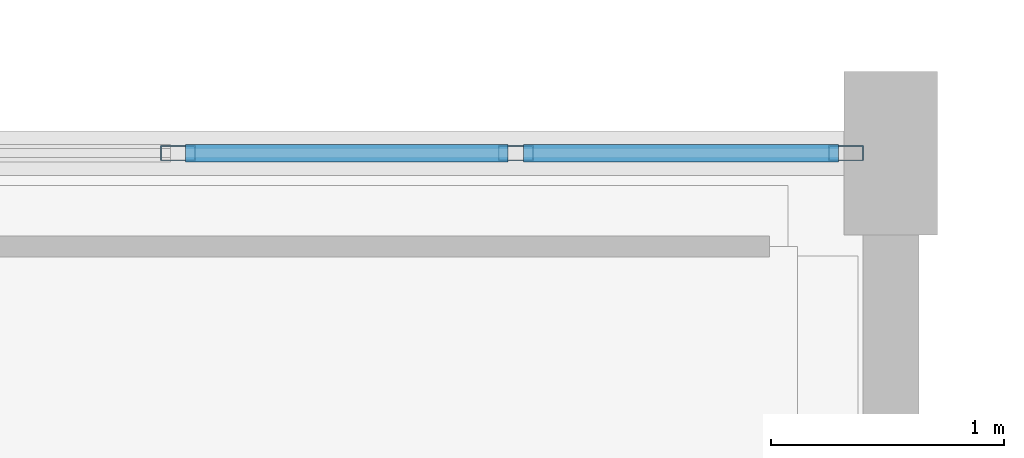
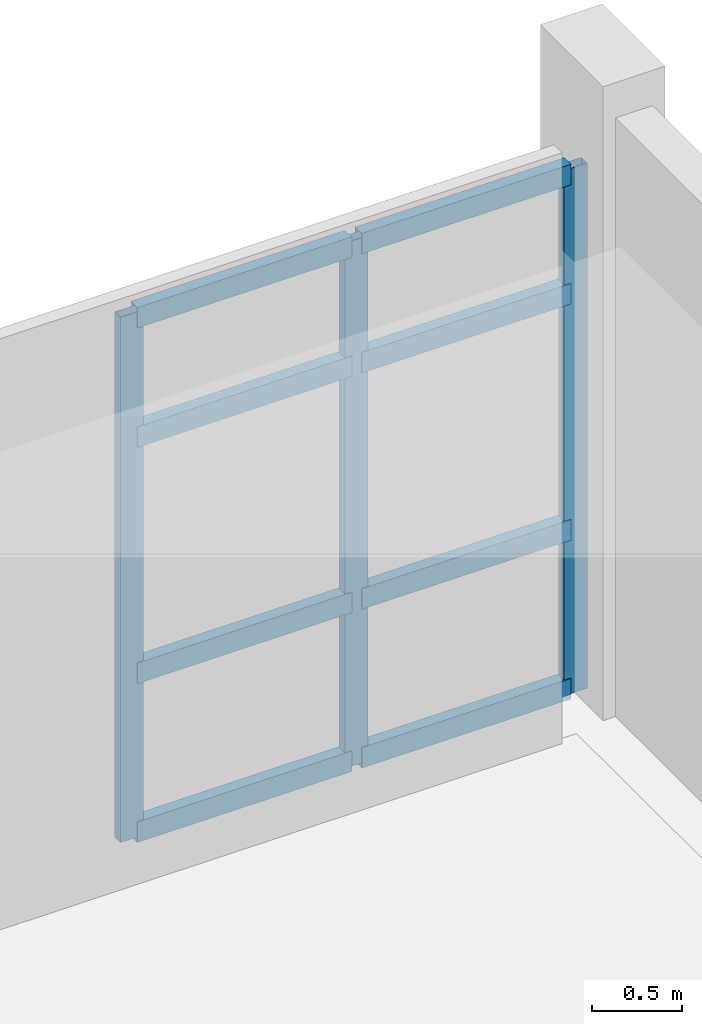
# One storey, part 109 of 174: 11 members, 1 element without a shape of its own.
"""IFC4 building model written with IfcOpenShell, lengths in metres."""

from ifc_helpers import new_model, si_unit, direction, frame, origin, origin_2d, place, context, subcontext, project, spatial, hollow_rectangle, extrude, material, material_profile, profile_set, type_object, element, aggregate, save


model = new_model("IFC4")

# Units and contexts
model_context = context("Model", 3, precision=1e-05, world=origin(), true_north=direction((0.0, 1.0)))
body_context = subcontext(model_context, "Body", "Model", "MODEL_VIEW")
ifc_project = project(units=[si_unit("LENGTHUNIT", "METRE"), si_unit("AREAUNIT", "SQUARE_METRE"), si_unit("VOLUMEUNIT", "CUBIC_METRE"), si_unit("PLANEANGLEUNIT", "RADIAN"), si_unit("MASSUNIT", "GRAM", prefix="KILO")], contexts=[model_context])

# Site, building, storey
site_placement = place(None, origin())
site = spatial("IfcSite", under=ifc_project, at=site_placement, CompositionType="ELEMENT")
building_placement = place(site_placement, origin())
building = spatial("IfcBuilding", under=site, at=building_placement, Name="Caisbarro Railhouse Central Library", CompositionType="ELEMENT")
storey_placement = place(building_placement, frame((0.0, 0.0, 5.0400390625)))
storey = spatial("IfcBuildingStorey", under=building, at=storey_placement, Name="L01", CompositionType="ELEMENT", Elevation=5.0400390625)

# Curtain wall, members
ifc_material = material(Name="Anodised architectural aluminium", Category="aluminium")
curtain_wall_type = type_object("IfcCurtainWallType", Name="CW-CW03", PredefinedType="NOTDEFINED", material=ifc_material)
curtain_wall_placement = place(storey_placement, origin())
curtain_wall = element("IfcCurtainWall", 1, at=curtain_wall_placement, inside=storey, type_object=curtain_wall_type, Name="CW03 curtain wall L01 #179", PredefinedType="NOTDEFINED")
ifc_material_profile_1 = material_profile(ifc_material, hollow_rectangle(XDim=0.06494140625, YDim=0.14990234375, WallThickness=0.00390625, at=origin_2d()), Name="ALU-MUL-65X150")
ifc_profile_set_1 = profile_set([ifc_material_profile_1], Name="Anodised architectural aluminium")
member_type_1 = type_object("IfcMemberType", Name="CWM-M02", PredefinedType="MULLION", material=ifc_profile_set_1)
member_1_placement = place(storey_placement, frame((95.94677734375, 114.0, 0.0), z_axis=(0.0, 0.0, 1.0), x_axis=(0.0, 1.0, 0.0)))
member_1 = element("IfcMember", 2, at=member_1_placement, type_object=member_type_1, Name="CW03 mullion 5", PredefinedType="MULLION", context=body_context, shape_type="SweptSolid", body=[
    extrude(hollow_rectangle(XDim=0.06494140625, YDim=0.14990234375, WallThickness=0.00390625, at=origin_2d()), origin(), (0.0, 0.0, 1.0), 3.580078125),
])
member_2_placement = place(storey_placement, frame((97.393310546875, 114.0, 0.0), z_axis=(0.0, 0.0, 1.0), x_axis=(0.0, 1.0, 0.0)))
member_2 = element("IfcMember", 3, at=member_2_placement, type_object=member_type_1, Name="CW03 mullion 6", PredefinedType="MULLION", context=body_context, shape_type="SweptSolid", body=[
    extrude(hollow_rectangle(XDim=0.06494140625, YDim=0.14990234375, WallThickness=0.00390625, at=origin_2d()), origin(), (0.0, 0.0, 1.0), 3.580078125),
])
member_3_placement = place(storey_placement, frame((98.8076171875, 114.0, 0.0), z_axis=(0.0, 0.0, 1.0), x_axis=(0.0, 1.0, 0.0)))
member_3 = element("IfcMember", 4, at=member_3_placement, type_object=member_type_1, Name="CW03 mullion 7", PredefinedType="MULLION", context=body_context, shape_type="SweptSolid", body=[
    extrude(hollow_rectangle(XDim=0.06494140625, YDim=0.14990234375, WallThickness=0.00390625, at=origin_2d()), origin(), (0.0, 0.0, 1.0), 3.580078125),
])
ifc_material_profile_2 = material_profile(ifc_material, hollow_rectangle(XDim=0.074951171875, YDim=0.139892578125, WallThickness=0.00390625, at=origin_2d()), Name="ALU-TRN-75X140")
ifc_profile_set_2 = profile_set([ifc_material_profile_2], Name="Anodised architectural aluminium")
member_type_2 = type_object("IfcMemberType", Name="CWT-T01", PredefinedType="USERDEFINED", material=ifc_profile_set_2)
member_4_placement = place(storey_placement, frame((95.979248046875, 114.0, 0.037353515625), z_axis=(1.0, 0.0, 0.0), x_axis=(0.0, 1.0, 0.0)))
member_4 = element("IfcMember", 5, at=member_4_placement, type_object=member_type_2, Name="CW03 transom 5.1", ObjectType="TRANSOM", PredefinedType="USERDEFINED", context=body_context, shape_type="SweptSolid", body=[
    extrude(hollow_rectangle(XDim=0.074951171875, YDim=0.139892578125, WallThickness=0.00390625, at=origin_2d()), origin(), (0.0, 0.0, 1.0), 1.381591796875),
])
member_5_placement = place(storey_placement, frame((95.979248046875, 114.0, 1.119873046875), z_axis=(1.0, 0.0, 0.0), x_axis=(0.0, 1.0, 0.0)))
member_5 = element("IfcMember", 6, at=member_5_placement, type_object=member_type_2, Name="CW03 transom 5.2", ObjectType="TRANSOM", PredefinedType="USERDEFINED", context=body_context, shape_type="SweptSolid", body=[
    extrude(hollow_rectangle(XDim=0.074951171875, YDim=0.139892578125, WallThickness=0.00390625, at=origin_2d()), origin(), (0.0, 0.0, 1.0), 1.381591796875),
])
member_6_placement = place(storey_placement, frame((95.979248046875, 114.0, 2.72998046875), z_axis=(1.0, 0.0, 0.0), x_axis=(0.0, 1.0, 0.0)))
member_6 = element("IfcMember", 7, at=member_6_placement, type_object=member_type_2, Name="CW03 transom 5.3", ObjectType="TRANSOM", PredefinedType="USERDEFINED", context=body_context, shape_type="SweptSolid", body=[
    extrude(hollow_rectangle(XDim=0.074951171875, YDim=0.139892578125, WallThickness=0.00390625, at=origin_2d()), origin(), (0.0, 0.0, 1.0), 1.381591796875),
])
member_7_placement = place(storey_placement, frame((95.979248046875, 114.0, 3.54248046875), z_axis=(1.0, 0.0, 0.0), x_axis=(0.0, 1.0, 0.0)))
member_7 = element("IfcMember", 8, at=member_7_placement, type_object=member_type_2, Name="CW03 transom 5.4", ObjectType="TRANSOM", PredefinedType="USERDEFINED", context=body_context, shape_type="SweptSolid", body=[
    extrude(hollow_rectangle(XDim=0.074951171875, YDim=0.139892578125, WallThickness=0.00390625, at=origin_2d()), origin(), (0.0, 0.0, 1.0), 1.381591796875),
])
member_8_placement = place(storey_placement, frame((97.42578125, 114.0, 0.037353515625), z_axis=(1.0, 0.0, 0.0), x_axis=(0.0, 1.0, 0.0)))
member_8 = element("IfcMember", 9, at=member_8_placement, type_object=member_type_2, Name="CW03 transom 6.1", ObjectType="TRANSOM", PredefinedType="USERDEFINED", context=body_context, shape_type="SweptSolid", body=[
    extrude(hollow_rectangle(XDim=0.074951171875, YDim=0.139892578125, WallThickness=0.00390625, at=origin_2d()), origin(), (0.0, 0.0, 1.0), 1.34912109375),
])
member_9_placement = place(storey_placement, frame((97.42578125, 114.0, 1.119873046875), z_axis=(1.0, 0.0, 0.0), x_axis=(0.0, 1.0, 0.0)))
member_9 = element("IfcMember", 10, at=member_9_placement, type_object=member_type_2, Name="CW03 transom 6.2", ObjectType="TRANSOM", PredefinedType="USERDEFINED", context=body_context, shape_type="SweptSolid", body=[
    extrude(hollow_rectangle(XDim=0.074951171875, YDim=0.139892578125, WallThickness=0.00390625, at=origin_2d()), origin(), (0.0, 0.0, 1.0), 1.34912109375),
])
member_10_placement = place(storey_placement, frame((97.42578125, 114.0, 2.72998046875), z_axis=(1.0, 0.0, 0.0), x_axis=(0.0, 1.0, 0.0)))
member_10 = element("IfcMember", 11, at=member_10_placement, type_object=member_type_2, Name="CW03 transom 6.3", ObjectType="TRANSOM", PredefinedType="USERDEFINED", context=body_context, shape_type="SweptSolid", body=[
    extrude(hollow_rectangle(XDim=0.074951171875, YDim=0.139892578125, WallThickness=0.00390625, at=origin_2d()), origin(), (0.0, 0.0, 1.0), 1.34912109375),
])
member_11_placement = place(storey_placement, frame((97.42578125, 114.0, 3.54248046875), z_axis=(1.0, 0.0, 0.0), x_axis=(0.0, 1.0, 0.0)))
member_11 = element("IfcMember", 12, at=member_11_placement, type_object=member_type_2, Name="CW03 transom 6.4", ObjectType="TRANSOM", PredefinedType="USERDEFINED", context=body_context, shape_type="SweptSolid", body=[
    extrude(hollow_rectangle(XDim=0.074951171875, YDim=0.139892578125, WallThickness=0.00390625, at=origin_2d()), origin(), (0.0, 0.0, 1.0), 1.34912109375),
])
aggregate(curtain_wall, [member_1, member_2, member_3, member_4, member_5, member_6, member_7, member_8, member_9, member_10, member_11])

save(model, "model.ifc")
